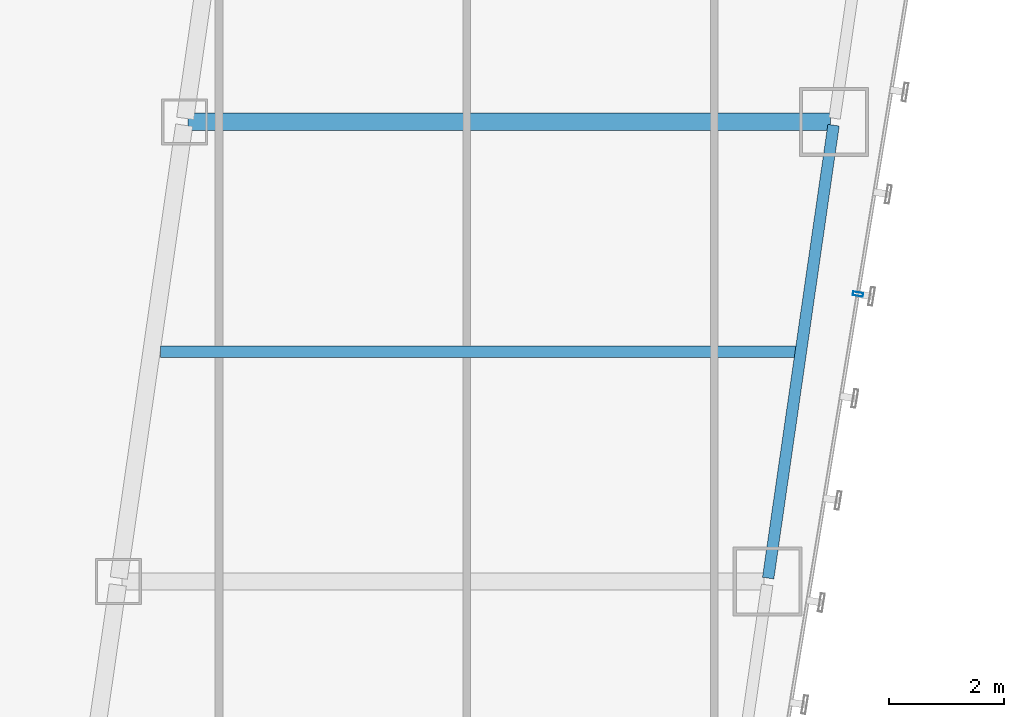
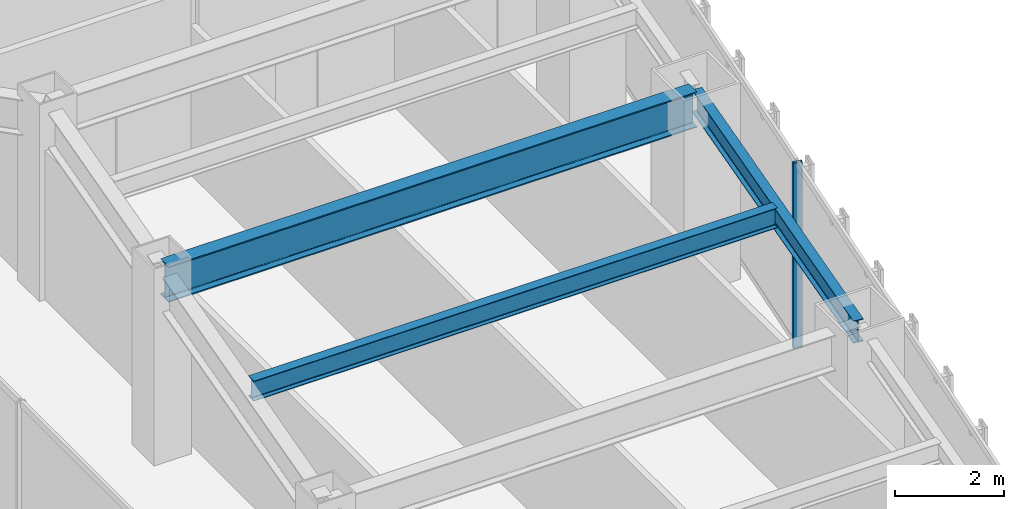
# One storey, part 21 of 47: 3 beams, 1 member, 1 element without a shape of its own.
"""IFC4 building model written with IfcOpenShell, lengths in metres."""

import ifcopenshell
import ifcopenshell.guid

model = None  # the IFC model being written
_history = None  # IfcOwnerHistory: only IFC2X3 demands one
_inside = {}  # id of a spatial element -> (the spatial element, [elements in it])
_under = {}  # id of a project, library or spatial element -> (it, [spatial elements below it])
_declared = {}  # id of a project -> (the project, [libraries it declares])
_typed = {}  # id of a type object -> (the type object, [elements of that type])
_made_of = {}  # id of a material, layer set ... -> (it, [elements and type objects made of it])


def new_model(schema):
    """Start an empty IFC model of exactly this schema.

    Asked for "IFC4X3", IfcOpenShell would pick the latest addendum, in which some entities
    have other attributes; the version numbers below select the first issue.
    IFC2X3 requires an IfcOwnerHistory on every rooted entity: one is made here for all.
    """
    global model, _history
    if schema == "IFC4X3":
        model = ifcopenshell.file(schema_version=(4, 3, 0, 0))
    else:
        model = ifcopenshell.file(schema=schema)
    _inside.clear()
    _under.clear()
    _declared.clear()
    _typed.clear()
    _made_of.clear()
    _history = None
    if model.schema == "IFC2X3":
        org = make("IfcOrganization", Name="unknown")
        user = make(
            "IfcPersonAndOrganization",
            ThePerson=make("IfcPerson", FamilyName="unknown"),
            TheOrganization=org,
        )
        app = make(
            "IfcApplication",
            ApplicationDeveloper=org,
            Version="unknown",
            ApplicationFullName="unknown",
            ApplicationIdentifier="unknown",
        )
        _history = make(
            "IfcOwnerHistory",
            OwningUser=user,
            OwningApplication=app,
            ChangeAction="ADDED",
            CreationDate=0,
        )
    return model


def make(cls, **values):
    """One entity of the class cls with the attributes given. An attribute that is None is left unset."""
    return model.create_entity(
        cls, **{name: value for name, value in values.items() if value is not None}
    )


def rooted(cls, **values):
    """An entity with a GlobalId (a new one), such as an element, a storey or a relation."""
    return make(cls, GlobalId=ifcopenshell.guid.new(), OwnerHistory=_history, **values)


def si_unit(unit_type, name, prefix=None):
    """IfcSIUnit, for example si_unit("LENGTHUNIT", "METRE", prefix="MILLI")."""
    return make("IfcSIUnit", UnitType=unit_type, Prefix=prefix, Name=name)


def assignment(units):
    """IfcUnitAssignment: the units of a project."""
    return None if units is None else make("IfcUnitAssignment", Units=units)


def point(xyz):
    """IfcCartesianPoint."""
    return None if xyz is None else make("IfcCartesianPoint", Coordinates=xyz)


def direction(xyz):
    """IfcDirection."""
    return None if xyz is None else make("IfcDirection", DirectionRatios=xyz)


def frame(location, z_axis=None, x_axis=None):
    """IfcAxis2Placement3D, a coordinate frame: its origin and axes. An axis left out is left unset."""
    return make(
        "IfcAxis2Placement3D",
        Location=point(location),
        Axis=direction(z_axis),
        RefDirection=direction(x_axis),
    )


def frame_2d(location, x_axis=None):
    """IfcAxis2Placement2D, a coordinate frame in the plane: its origin and x axis."""
    return make(
        "IfcAxis2Placement2D", Location=point(location), RefDirection=direction(x_axis)
    )


def origin():
    """The frame at (0, 0, 0) with its axes left unset."""
    return frame((0.0, 0.0, 0.0))


def origin_2d():
    """The frame at (0, 0) in the plane with its x axis left unset."""
    return frame_2d((0.0, 0.0))


def place(relative_to, where):
    """IfcLocalPlacement: puts the frame where relative to a parent placement (None: the world)."""
    return make(
        "IfcLocalPlacement", PlacementRelTo=relative_to, RelativePlacement=where
    )


def context(
    kind, dimensions, precision=None, world=None, true_north=None, identifier=None
):
    """IfcGeometricRepresentationContext, for example the 3D "Model" context."""
    return make(
        "IfcGeometricRepresentationContext",
        ContextIdentifier=identifier,
        ContextType=kind,
        CoordinateSpaceDimension=dimensions,
        Precision=precision,
        WorldCoordinateSystem=world,
        TrueNorth=true_north,
    )


def subcontext(parent, identifier, kind, view, scale=None):
    """IfcGeometricRepresentationSubContext, for example "Body" below "Model"."""
    return make(
        "IfcGeometricRepresentationSubContext",
        ContextIdentifier=identifier,
        ContextType=kind,
        ParentContext=parent,
        TargetScale=scale,
        TargetView=view,
    )


def project(units=None, contexts=None):
    """IfcProject with its units and contexts."""
    return rooted(
        "IfcProject",
        Name="project",
        RepresentationContexts=contexts,
        UnitsInContext=assignment(units),
    )


def spatial(cls, under=None, at=None, **own):
    """A site, building, storey or space (cls), placed at a placement, below another one or the project."""
    s = rooted(cls, ObjectPlacement=at, **own)
    if under is not None:
        _under.setdefault(under.id(), (under, []))[1].append(s)
    return s


def profile(cls, at=None, kind="AREA", **sizes):
    """A parametric profile (cls). Its sizes go by their IFC names, for example OverallWidth=200.0."""
    return make(cls, ProfileType=kind, Position=at, **sizes)


def hollow_rectangle(**sizes):
    """IfcRectangleHollowProfileDef."""
    return profile("IfcRectangleHollowProfileDef", **sizes)


def i_section(**sizes):
    """IfcIShapeProfileDef."""
    return profile("IfcIShapeProfileDef", **sizes)


def extrude(swept, where, along, depth):
    """IfcExtrudedAreaSolid: the profile swept, set in the frame where, extruded along a direction by depth."""
    return make(
        "IfcExtrudedAreaSolid",
        SweptArea=swept,
        Position=where,
        ExtrudedDirection=direction(along),
        Depth=depth,
    )


def shape(context_of_items, identifier, shape_type, items):
    """IfcShapeRepresentation: the items that make up one representation, for example the "Body"."""
    return make(
        "IfcShapeRepresentation",
        ContextOfItems=context_of_items,
        RepresentationIdentifier=identifier,
        RepresentationType=shape_type,
        Items=items,
    )


def material(Name=None, Category=None):
    """IfcMaterial."""
    return make("IfcMaterial", Name=Name, Category=Category)


def material_profile(
    of_material, cross_section, Name=None, Category=None, Priority=None
):
    """IfcMaterialProfile: a cross section and its material."""
    return make(
        "IfcMaterialProfile",
        Name=Name,
        Material=of_material,
        Profile=cross_section,
        Priority=Priority,
        Category=Category,
    )


def profile_set(profiles, Name=None, composite=None):
    """IfcMaterialProfileSet."""
    return make(
        "IfcMaterialProfileSet",
        Name=Name,
        MaterialProfiles=profiles,
        CompositeProfile=composite,
    )


def made_of(thing, what):
    """Note that an element or type object is made of a material, layer set ...; save() writes the relation."""
    if what is not None:
        _made_of.setdefault(what.id(), (what, []))[1].append(thing)
    return thing


def type_object(cls, material=None, **own):
    """A type object (cls), such as IfcWallType, which elements share."""
    return made_of(rooted(cls, **own), material)


def element(
    cls,
    number,
    at=None,
    inside=None,
    cuts=None,
    type_object=None,
    material=None,
    context=None,
    identifier="Body",
    shape_type=None,
    held_by="IfcProductDefinitionShape",
    body=None,
    shapes=None,
    **own,
):
    """One element of the class cls, such as IfcWall. Its Tag is "e" and its number.

    at: its placement. inside: the storey or other place that contains it. cuts: it is an
    opening in that element (IfcRelVoidsElement). A single representation is given by context,
    identifier, shape_type and body (its items); several are given by shapes. held_by: the class
    of the entity that holds the representations. save() writes the other relations.
    """
    e = rooted(cls, Tag="e%d" % number, ObjectPlacement=at, **own)
    if body is not None:
        shapes = [shape(context, identifier, shape_type, body)]
    if shapes is not None:
        e.Representation = make(held_by, Representations=shapes)
    if inside is not None:
        _inside.setdefault(inside.id(), (inside, []))[1].append(e)
    if cuts is not None:
        rooted(
            "IfcRelVoidsElement", RelatingBuildingElement=cuts, RelatedOpeningElement=e
        )
    if type_object is not None:
        _typed.setdefault(type_object.id(), (type_object, []))[1].append(e)
    return made_of(e, material)


def aggregate(whole, parts):
    """IfcRelAggregates: a whole, such as a stair, and the parts it consists of."""
    return rooted("IfcRelAggregates", RelatingObject=whole, RelatedObjects=parts)


def save(model, path):
    """Write the relations noted so far, then the file.

    IfcRelAggregates (storeys below a building ...), IfcRelContainedInSpatialStructure (elements
    in a storey), IfcRelDefinesByType, IfcRelAssociatesMaterial and IfcRelDeclares: one each for
    every whole, place, type object, material and project.
    """
    for whole, parts in _under.values():
        aggregate(whole, parts)
    for where, things in _inside.values():
        rooted(
            "IfcRelContainedInSpatialStructure",
            RelatedElements=things,
            RelatingStructure=where,
        )
    for kind, things in _typed.values():
        rooted("IfcRelDefinesByType", RelatedObjects=things, RelatingType=kind)
    for what, things in _made_of.values():
        rooted("IfcRelAssociatesMaterial", RelatedObjects=things, RelatingMaterial=what)
    for by, libraries in _declared.values():
        rooted("IfcRelDeclares", RelatingContext=by, RelatedDefinitions=libraries)
    model.write(path)


model = new_model("IFC4")

# Units and contexts
model_context = context("Model", 3, precision=1e-05, world=origin(), true_north=direction((0.0, 1.0)))
body_context = subcontext(model_context, "Body", "Model", "MODEL_VIEW")
ifc_project = project(units=[si_unit("LENGTHUNIT", "METRE"), si_unit("AREAUNIT", "SQUARE_METRE"), si_unit("VOLUMEUNIT", "CUBIC_METRE"), si_unit("PLANEANGLEUNIT", "RADIAN"), si_unit("MASSUNIT", "GRAM", prefix="KILO")], contexts=[model_context])

# Site, building, storey
site_placement = place(None, origin())
site = spatial("IfcSite", under=ifc_project, at=site_placement, CompositionType="ELEMENT")
building_placement = place(site_placement, origin())
building = spatial("IfcBuilding", under=site, at=building_placement, Name="Saevonmaru Cultural Tower", CompositionType="ELEMENT")
storey_placement = place(building_placement, frame((0.0, 0.0, 56.0)))
storey = spatial("IfcBuildingStorey", under=building, at=storey_placement, Name="L11", CompositionType="ELEMENT", Elevation=56.0)

# Beams
ifc_material_1 = material(Name="Steel SM420", Category="steel")
ifc_material_profile_1 = material_profile(ifc_material_1, i_section(OverallWidth=0.300048828125, OverallDepth=0.800048828125, WebThickness=0.013916015625, FlangeThickness=0.02587890625, FilletRadius=0.028076171875, at=origin_2d()), Name="H-800x300x14x26")
ifc_profile_set_1 = profile_set([ifc_material_profile_1], Name="Steel SM420")
beam_type_1 = type_object("IfcBeamType", Name="BM-G-H800", PredefinedType="BEAM", material=ifc_profile_set_1)
beam_1_placement = place(storey_placement, frame((40.443115234375, 32.0, 3.75), z_axis=(1.0, 0.0, 0.0), x_axis=(0.0, 1.0, 0.0)))
element("IfcBeam", 1, at=beam_1_placement, inside=storey, type_object=beam_type_1, Name="L11 East Wing Transverse Girder 5", PredefinedType="BEAM", context=body_context, shape_type="SweptSolid", body=[
    extrude(i_section(OverallWidth=0.300048828125, OverallDepth=0.800048828125, WebThickness=0.013916015625, FlangeThickness=0.02587890625, FilletRadius=0.028076171875, at=origin_2d()), origin(), (0.0, 0.0, 1.0), 11.179931640625),
])
ifc_material_2 = material(Name="Steel SM355", Category="steel")
ifc_material_profile_2 = material_profile(ifc_material_2, i_section(OverallWidth=0.199951171875, OverallDepth=0.449951171875, WebThickness=0.009033203125, FlangeThickness=0.013916015625, FilletRadius=0.01806640625, at=origin_2d()), Name="H-450x200x9x14")
ifc_profile_set_2 = profile_set([ifc_material_profile_2], Name="Steel SM355")
beam_type_2 = type_object("IfcBeamType", Name="BM-J-H450", PredefinedType="JOIST", material=ifc_profile_set_2)
beam_2_placement = place(storey_placement, frame((39.96337890625, 28.0, 3.925048828125), z_axis=(1.0, 0.0, 0.0), x_axis=(0.0, 1.0, 0.0)))
element("IfcBeam", 2, at=beam_2_placement, inside=storey, type_object=beam_type_2, Name="L11 East Wing Floor Joist 4", PredefinedType="JOIST", context=body_context, shape_type="SweptSolid", body=[
    extrude(i_section(OverallWidth=0.199951171875, OverallDepth=0.449951171875, WebThickness=0.009033203125, FlangeThickness=0.013916015625, FilletRadius=0.01806640625, at=origin_2d()), origin(), (0.0, 0.0, 1.0), 11.08203125),
])
ifc_material_profile_3 = material_profile(ifc_material_2, i_section(OverallWidth=0.199951171875, OverallDepth=0.5, WebThickness=0.010009765625, FlangeThickness=0.01611328125, FilletRadius=0.02001953125, at=origin_2d()), Name="H-500x200x10x16")
ifc_profile_set_3 = profile_set([ifc_material_profile_3], Name="Steel SM355")
beam_type_3 = type_object("IfcBeamType", Name="BM-SP-H500", PredefinedType="SPANDREL", material=ifc_profile_set_3)
beam_3_placement = place(storey_placement, frame((50.53662109375, 24.059326171875, 3.89990234375), z_axis=(0.142871999001, 0.989741174197, 0.0), x_axis=(-0.989741174197, 0.142871999001, 0.0)))
element("IfcBeam", 3, at=beam_3_placement, inside=storey, type_object=beam_type_3, Name="L11 East Splayed Spandrel 4", PredefinedType="SPANDREL", context=body_context, shape_type="SweptSolid", body=[
    extrude(i_section(OverallWidth=0.199951171875, OverallDepth=0.5, WebThickness=0.010009765625, FlangeThickness=0.01611328125, FilletRadius=0.02001953125, at=origin_2d()), origin(), (0.0, 0.0, 1.0), 7.963134765625),
])

# Curtain wall, member
ifc_material_3 = material(Name="Satin Bronze Anodised Aluminium", Category="aluminium")
curtain_wall_type = type_object("IfcCurtainWallType", Name="CW-TYP-A", PredefinedType="NOTDEFINED", material=ifc_material_3)
curtain_wall_placement = place(storey_placement, origin())
curtain_wall = element("IfcCurtainWall", 4, at=curtain_wall_placement, inside=storey, type_object=curtain_wall_type, Name="L11 Unitised Curtain Wall E8", PredefinedType="NOTDEFINED")
ifc_material_profile_4 = material_profile(ifc_material_3, hollow_rectangle(XDim=0.06494140625, YDim=0.179931640625, WallThickness=0.00390625, at=origin_2d()), Name="ALU-MULL-180x65x4")
ifc_profile_set_4 = profile_set([ifc_material_profile_4], Name="Satin Bronze Anodised Aluminium")
member_type = type_object("IfcMemberType", Name="ML-CW-180x65", PredefinedType="MULLION", material=ifc_profile_set_4)
member_placement = place(storey_placement, frame((52.10009765625, 29.0, 0.0), z_axis=(0.0, 0.0, 1.0), x_axis=(0.161708868641, 0.986838508472, 0.0)))
member = element("IfcMember", 5, at=member_placement, type_object=member_type, Name="CW-TW-L11-E8 mullion 3", PredefinedType="MULLION", context=body_context, shape_type="SweptSolid", body=[
    extrude(hollow_rectangle(XDim=0.06494140625, YDim=0.179931640625, WallThickness=0.00390625, at=origin_2d()), origin(), (0.0, 0.0, 1.0), 4.14990234375),
])
aggregate(curtain_wall, [member])

save(model, "model.ifc")
